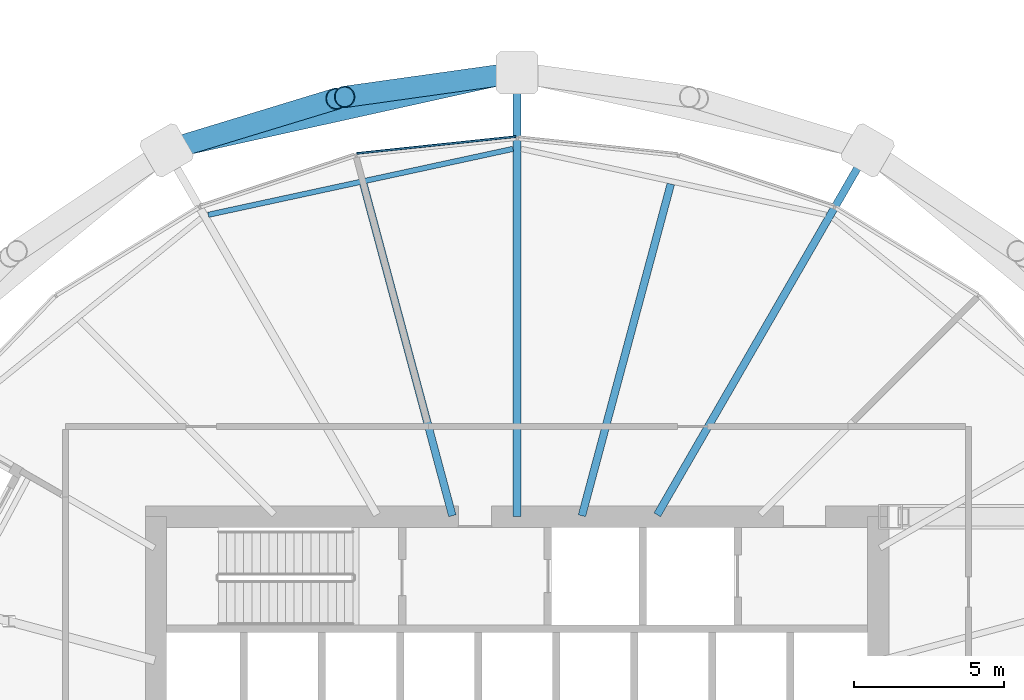
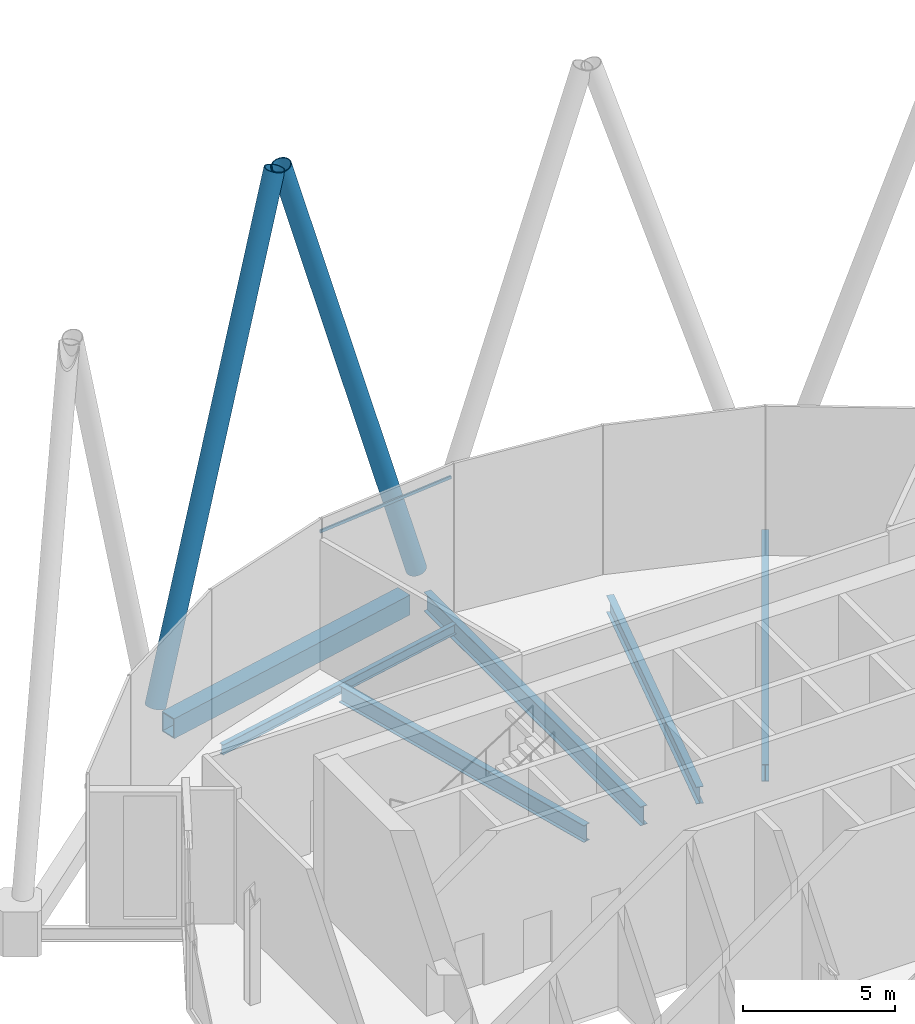
# One storey, part 14 of 39: 6 beams, 3 members, 1 element without a shape of its own.
"""IFC4 building model written with IfcOpenShell, lengths in metres."""

from ifc_helpers import new_model, si_unit, direction, frame, origin, origin_2d, place, context, subcontext, project, spatial, rectangle, hollow_rectangle, hollow_circle, i_section, extrude, material, material_profile, profile_set, type_object, element, aggregate, save


model = new_model("IFC4")

# Units and contexts
model_context = context("Model", 3, precision=1e-05, world=origin(), true_north=direction((0.0, 1.0)))
body_context = subcontext(model_context, "Body", "Model", "MODEL_VIEW")
ifc_project = project(units=[si_unit("LENGTHUNIT", "METRE"), si_unit("AREAUNIT", "SQUARE_METRE"), si_unit("VOLUMEUNIT", "CUBIC_METRE"), si_unit("PLANEANGLEUNIT", "RADIAN"), si_unit("MASSUNIT", "GRAM", prefix="KILO")], contexts=[model_context])

# Site, building, storey
site_placement = place(None, origin())
site = spatial("IfcSite", under=ifc_project, at=site_placement, CompositionType="ELEMENT")
building_placement = place(site_placement, origin())
building = spatial("IfcBuilding", under=site, at=building_placement, Name="Rimbun Link Towers", CompositionType="ELEMENT")
storey_placement = place(building_placement, frame((0.0, 0.0, 127.199951171875)))
storey = spatial("IfcBuildingStorey", under=building, at=storey_placement, Name="L31", CompositionType="ELEMENT", Elevation=127.199951171875)

# Curtain wall, member
ifc_material_1 = material(Name="Aluminium 6063-T6 louvre wall", Category="aluminium")
curtain_wall_type = type_object("IfcCurtainWallType", Name="CW6 plant floor louvre wall", PredefinedType="NOTDEFINED", material=ifc_material_1)
curtain_wall_placement = place(storey_placement, origin())
curtain_wall = element("IfcCurtainWall", 1, at=curtain_wall_placement, inside=storey, type_object=curtain_wall_type, Name="CW6 L31 T1", PredefinedType="NOTDEFINED")
ifc_material_2 = material(Name="Aluminium 6063-T6", Category="aluminium")
ifc_material_profile_1 = material_profile(ifc_material_2, rectangle(XDim=0.06005859375, YDim=0.1201171875, at=origin_2d()), Name="TRANSOM 60X120")
ifc_profile_set_1 = profile_set([ifc_material_profile_1], Name="Aluminium 6063-T6")
member_type_1 = type_object("IfcMemberType", Name="CW6 transom 60X120", PredefinedType="USERDEFINED", material=ifc_profile_set_1)
member_1_placement = place(storey_placement, frame((-37.0771484375, 20.07421875, 5.400146484375), z_axis=(0.99449638466, 0.104770897192, 0.0), x_axis=(-0.104770897192, 0.99449638466, 0.0)))
member_1 = element("IfcMember", 2, at=member_1_placement, type_object=member_type_1, Name="CW6 transom", ObjectType="TRANSOM", PredefinedType="USERDEFINED", context=body_context, shape_type="SweptSolid", body=[
    extrude(rectangle(XDim=0.06005859375, YDim=0.1201171875, at=origin_2d()), origin(), (0.0, 0.0, 1.0), 5.31298828125),
])
aggregate(curtain_wall, [member_1])

# Members
ifc_material_3 = material(Name="Steel S460NH", Category="steel")
ifc_material_profile_2 = material_profile(ifc_material_3, hollow_circle(Radius=0.355712890625, WallThickness=0.031982421875, at=origin_2d()), Name="Diagrid diagonal CHS 711x32")
ifc_profile_set_2 = profile_set([ifc_material_profile_2], Name="Steel S460NH")
member_type_2 = type_object("IfcMemberType", Name="Diagrid diagonal CHS 711x32", PredefinedType="BRACE", material=ifc_profile_set_2)
member_2_placement = place(storey_placement, frame((-31.8935546875, 22.734619140625, 0.478515625), z_axis=(-0.28694762566, -0.040208263437, 0.957102061266), x_axis=(0.13876833171, -0.990324870997, 0.0)))
element("IfcMember", 3, at=member_2_placement, inside=storey, type_object=member_type_2, Name="Diagrid diagonal T1 L31-L35 06b", PredefinedType="BRACE", context=body_context, shape_type="SweptSolid", body=[
    extrude(hollow_circle(Radius=0.355712890625, WallThickness=0.031982421875, at=origin_2d()), origin(), (0.0, 0.0, 1.0), 19.478759765625),
])
member_3_placement = place(storey_placement, frame((-43.2568359375, 20.216796875, 0.47802734375), z_axis=(0.281420804771, 0.085705313131, 0.955749407503), x_axis=(-0.291334285464, 0.95662131176, 0.0)))
element("IfcMember", 4, at=member_3_placement, inside=storey, type_object=member_type_2, Name="Diagrid diagonal T1 L31-L35 08a", PredefinedType="BRACE", context=body_context, shape_type="SweptSolid", body=[
    extrude(hollow_circle(Radius=0.355712890625, WallThickness=0.031982421875, at=origin_2d()), origin(), (0.0, 0.0, 1.0), 19.50732421875),
])

# Beams
ifc_material_4 = material(Name="Steel S355J2", Category="steel")
ifc_material_profile_3 = material_profile(ifc_material_4, hollow_rectangle(XDim=0.60009765625, YDim=0.800048828125, WallThickness=0.0400390625, at=origin_2d()), Name="Exoskeleton ring girder BOX 600x800x40")
ifc_profile_set_3 = profile_set([ifc_material_profile_3], Name="Steel S355J2")
beam_type_1 = type_object("IfcBeamType", Name="Exoskeleton ring girder BOX 600x800x40", PredefinedType="BEAM", material=ifc_profile_set_3)
beam_1_placement = place(storey_placement, frame((-32.433349609375, 22.603271484375, -0.56005859375), z_axis=(-0.97632325002, -0.216316692536, 0.0), x_axis=(0.216316692536, -0.97632325002, 0.0)))
element("IfcBeam", 5, at=beam_1_placement, inside=storey, type_object=beam_type_1, Name="Exoskeleton ring girder L31 03", PredefinedType="BEAM", context=body_context, shape_type="SweptSolid", body=[
    extrude(hollow_rectangle(XDim=0.60009765625, YDim=0.800048828125, WallThickness=0.0400390625, at=origin_2d()), origin(), (0.0, 0.0, 1.0), 10.530029296875),
])
ifc_material_5 = material(Name="Steel S355J2", Category="steel")
ifc_material_profile_4 = material_profile(ifc_material_5, i_section(OverallWidth=0.177978515625, OverallDepth=0.406494140625, WebThickness=0.0078125, FlangeThickness=0.0126953125, at=origin_2d()), Name="UB 406x178x60")
ifc_profile_set_4 = profile_set([ifc_material_profile_4], Name="Steel S355J2")
beam_type_2 = type_object("IfcBeamType", Name="UB 406x178x60", PredefinedType="BEAM", material=ifc_profile_set_4)
beam_2_placement = place(storey_placement, frame((-31.88427734375, 20.22412109375, -0.383056640625), z_axis=(-0.97738890802, -0.211449574316, 0.0), x_axis=(0.211449574316, -0.97738890802, 0.0)))
element("IfcBeam", 6, at=beam_2_placement, inside=storey, type_object=beam_type_2, Name="Edge beam T1 L31 06-08", PredefinedType="BEAM", context=body_context, shape_type="SweptSolid", body=[
    extrude(i_section(OverallWidth=0.177978515625, OverallDepth=0.406494140625, WebThickness=0.0078125, FlangeThickness=0.0126953125, at=origin_2d()), origin(), (0.0, 0.0, 1.0), 10.36376953125),
])
ifc_material_6 = material(Name="Steel S355J2", Category="steel")
ifc_material_profile_5 = material_profile(ifc_material_6, i_section(OverallWidth=0.253662109375, OverallDepth=0.68359375, WebThickness=0.012451171875, FlangeThickness=0.01904296875, at=origin_2d()), Name="UB 686x254x140")
ifc_profile_set_5 = profile_set([ifc_material_profile_5], Name="Steel S355J2")
beam_type_3 = type_object("IfcBeamType", Name="UB 686x254x140", PredefinedType="BEAM", material=ifc_profile_set_5)
beam_3_placement = place(storey_placement, frame((-27.093994140625, 8.064208984375, -0.521728515625), z_axis=(0.499985251534, 0.866033918648, 0.0), x_axis=(-0.866033918648, 0.499985251534, 0.0)))
element("IfcBeam", 7, at=beam_3_placement, inside=storey, type_object=beam_type_3, Name="Radial beam T1 L31 04", PredefinedType="BEAM", context=body_context, shape_type="SweptSolid", body=[
    extrude(i_section(OverallWidth=0.253662109375, OverallDepth=0.68359375, WebThickness=0.012451171875, FlangeThickness=0.01904296875, at=origin_2d()), origin(), (0.0, 0.0, 1.0), 13.4833984375),
])
for number, where, z_axis, x_axis, name in (
    (8, (-29.597412109375, 8.03369140625, -0.521728515625), (0.2588262692, 0.965923890569, 0.0), (-0.965923890569, 0.2588262692, 0.0), "Radial beam T1 L31 05"),
    (9, (-33.902587890625, 8.03369140625, -0.521728515625), (-0.2588262692, 0.965923890569, 0.0), (-0.965923890569, -0.2588262692, 0.0), "Radial beam T1 L31 07"),
):
    element("IfcBeam", number, at=place(storey_placement, frame(where, z_axis=z_axis, x_axis=x_axis)), inside=storey, type_object=beam_type_3, Name=name, PredefinedType="BEAM", context=body_context, shape_type="SweptSolid", body=[
        extrude(i_section(OverallWidth=0.253662109375, OverallDepth=0.68359375, WebThickness=0.012451171875, FlangeThickness=0.01904296875, at=origin_2d()), origin(), (0.0, 0.0, 1.0), 11.41162109375),
    ])
ifc_material_7 = material(Name="Steel S355J2", Category="steel")
ifc_material_profile_6 = material_profile(ifc_material_7, i_section(OverallWidth=0.2666015625, OverallDepth=0.76220703125, WebThickness=0.014404296875, FlangeThickness=0.021484375, at=origin_2d()), Name="UB 762x267x173")
ifc_profile_set_6 = profile_set([ifc_material_profile_6], Name="Steel S355J2")
beam_type_4 = type_object("IfcBeamType", Name="UB 762x267x173", PredefinedType="BEAM", material=ifc_profile_set_6)
beam_4_placement = place(storey_placement, frame((-31.75, 8.0009765625, -0.56103515625), z_axis=(0.0, 1.0, 0.0), x_axis=(-1.0, 0.0, 0.0)))
element("IfcBeam", 10, at=beam_4_placement, inside=storey, type_object=beam_type_4, Name="Radial beam T1 L31 06", PredefinedType="BEAM", context=body_context, shape_type="SweptSolid", body=[
    extrude(i_section(OverallWidth=0.2666015625, OverallDepth=0.76220703125, WebThickness=0.014404296875, FlangeThickness=0.021484375, at=origin_2d()), origin(), (0.0, 0.0, 1.0), 14.253662109375),
])

save(model, "model.ifc")
